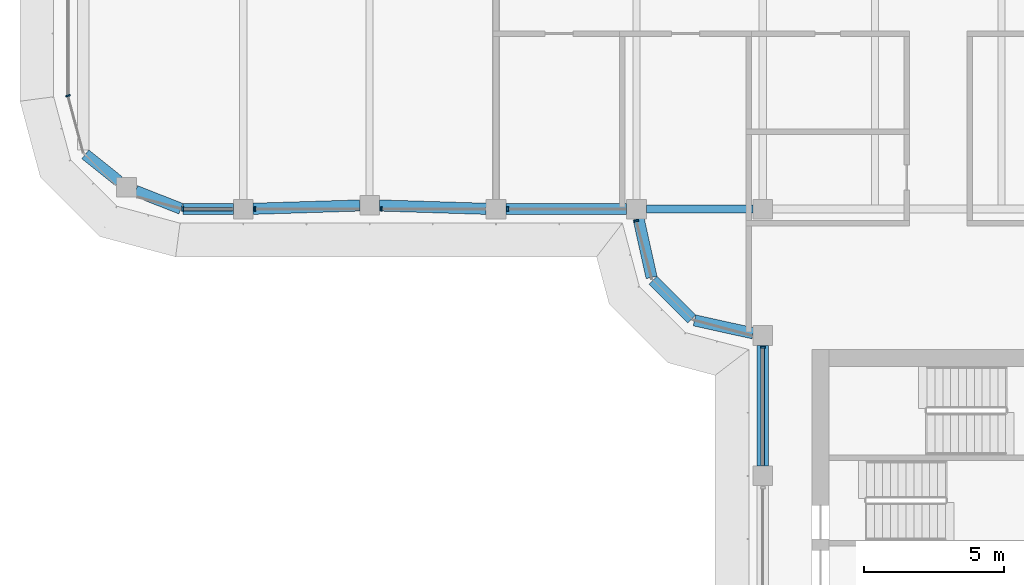
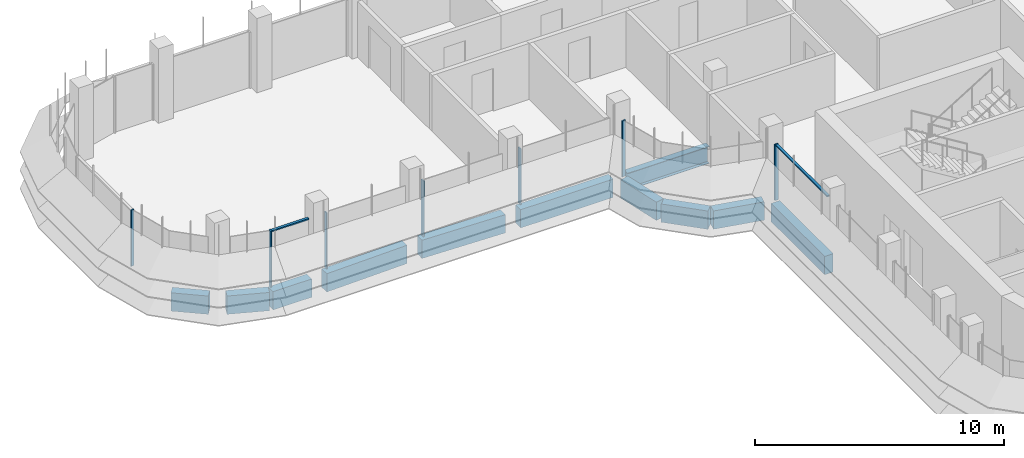
# One storey, part 3 of 18: 11 beams, 9 members, 4 elements without a shape of their own.
"""IFC4 building model written with IfcOpenShell, lengths in metres."""

from ifc_helpers import new_model, si_unit, direction, frame, origin, origin_2d, place, context, subcontext, project, spatial, polyline, rectangle, i_section, outline, extrude, source, transform, mapped, material, material_profile, profile_set, type_object, element, aggregate, save


model = new_model("IFC4")

# Units and contexts
model_context = context("Model", 3, precision=1e-05, world=origin(), true_north=direction((0.0, 1.0)))
body_context = subcontext(model_context, "Body", "Model", "MODEL_VIEW")
ifc_project = project(units=[si_unit("LENGTHUNIT", "METRE"), si_unit("AREAUNIT", "SQUARE_METRE"), si_unit("VOLUMEUNIT", "CUBIC_METRE"), si_unit("PLANEANGLEUNIT", "RADIAN"), si_unit("MASSUNIT", "GRAM", prefix="KILO")], contexts=[model_context])

# Site, building, storey
site_placement = place(None, origin())
site = spatial("IfcSite", under=ifc_project, at=site_placement, CompositionType="ELEMENT")
building_placement = place(site_placement, origin())
building = spatial("IfcBuilding", under=site, at=building_placement, Name="Zarbagh Exchange Tower", CompositionType="ELEMENT")
storey_placement = place(building_placement, frame((0.0, 0.0, 210.60009765625)))
storey = spatial("IfcBuildingStorey", under=building, at=storey_placement, Name="L51", CompositionType="ELEMENT", Elevation=210.60009765625)

# Beams
ifc_material_1 = material(Name="Steel ASTM A992 Gr 50", Category="steel")
ifc_material_profile_1 = material_profile(ifc_material_1, i_section(OverallWidth=0.2919921875, OverallDepth=0.835693359375, WebThickness=0.013916015625, FlangeThickness=0.018798828125, at=origin_2d()), Name="W33X118")
ifc_profile_set_1 = profile_set([ifc_material_profile_1], Name="Steel ASTM A992 Gr 50")
beam_type_1 = type_object("IfcBeamType", Name="Floor girder W33X118", PredefinedType="BEAM", material=ifc_profile_set_1)
beam_1_placement = place(storey_placement, frame((-10.39990234375, -6.25, -0.56787109375), z_axis=(1.0, 0.0, 0.0), x_axis=(0.0, 1.0, 0.0)))
element("IfcBeam", 1, at=beam_1_placement, inside=storey, type_object=beam_type_1, Name="Steel girder", PredefinedType="BEAM", context=body_context, shape_type="SweptSolid", body=[
    extrude(i_section(OverallWidth=0.2919921875, OverallDepth=0.835693359375, WebThickness=0.013916015625, FlangeThickness=0.018798828125, at=origin_2d()), origin(), (0.0, 0.0, 1.0), 3.7998046875),
])
ifc_material_2 = material(Name="Concrete C50/60", Category="concrete")
ifc_material_profile_2 = material_profile(ifc_material_2, rectangle(XDim=0.39990234375, YDim=0.89990234375, at=origin_2d()), Name="RC spandrel beam 400 x 900 C50/60")
ifc_profile_set_2 = profile_set([ifc_material_profile_2], Name="Concrete C50/60")
beam_type_2 = type_object("IfcBeamType", Name="RC spandrel beam 400 x 900 C50/60", PredefinedType="SPANDREL", material=ifc_profile_set_2)
beam_2_placement = place(storey_placement, frame((-6.25, -15.39990234375, -0.60009765625), z_axis=(0.0, 1.0, 0.0), x_axis=(-1.0, 0.0, 0.0)))
element("IfcBeam", 2, at=beam_2_placement, inside=storey, type_object=beam_type_2, Name="RC spandrel beam", PredefinedType="SPANDREL", context=body_context, shape_type="SweptSolid", body=[
    extrude(rectangle(XDim=0.39990234375, YDim=0.89990234375, at=origin_2d()), origin(), (0.0, 0.0, 1.0), 4.2998046875),
])
beam_3_placement = place(storey_placement, frame((-6.591796875, -10.67431640625, -0.60009765625), z_axis=(-0.97639036545, 0.216013551096, 0.0), x_axis=(-0.216013551096, -0.97639036545, 0.0)))
element("IfcBeam", 3, at=beam_3_placement, inside=storey, type_object=beam_type_2, Name="RC spandrel beam", PredefinedType="SPANDREL", context=body_context, shape_type="SweptSolid", body=[
    extrude(rectangle(XDim=0.39990234375, YDim=0.89990234375, at=origin_2d()), origin(), (0.0, 0.0, 1.0), 2.142822265625),
])
beam_4_placement = place(storey_placement, frame((-8.782470703125, -10.15771484375, -0.60009765625), z_axis=(-0.707106781187, 0.707106781187, 0.0), x_axis=(-0.707106781187, -0.707106781187, 0.0)))
element("IfcBeam", 4, at=beam_4_placement, inside=storey, type_object=beam_type_2, Name="RC spandrel beam", PredefinedType="SPANDREL", context=body_context, shape_type="SweptSolid", body=[
    extrude(rectangle(XDim=0.39990234375, YDim=0.89990234375, at=origin_2d()), origin(), (0.0, 0.0, 1.0), 1.94482421875),
])
beam_5_placement = place(storey_placement, frame((-10.21142578125, -8.68408203125, -0.60009765625), z_axis=(-0.216013551096, 0.97639036545, 0.0), x_axis=(-0.97639036545, -0.216013551096, 0.0)))
element("IfcBeam", 5, at=beam_5_placement, inside=storey, type_object=beam_type_2, Name="RC spandrel beam", PredefinedType="SPANDREL", context=body_context, shape_type="SweptSolid", body=[
    extrude(rectangle(XDim=0.39990234375, YDim=0.89990234375, at=origin_2d()), origin(), (0.0, 0.0, 1.0), 2.142822265625),
])
beam_6_placement = place(storey_placement, frame((-11.10009765625, -6.25, -0.60009765625), z_axis=(-1.0, 0.0, 0.0), x_axis=(0.0, -1.0, 0.0)))
element("IfcBeam", 6, at=beam_6_placement, inside=storey, type_object=beam_type_2, Name="RC spandrel beam", PredefinedType="SPANDREL", context=body_context, shape_type="SweptSolid", body=[
    extrude(rectangle(XDim=0.39990234375, YDim=0.89990234375, at=origin_2d()), origin(), (0.0, 0.0, 1.0), 4.2998046875),
])
for number, where, z_axis, x_axis, name in (
    (7, (-16.099853515625, -6.239013671875, -0.60009765625), (-0.999516950199, 0.031078389046, 0.0), (-0.031078389046, -0.999516950199, 0.0), "RC spandrel beam"),
    (8, (-20.599853515625, -6.120849609375, -0.60009765625), (-0.999516950199, -0.031078389046, 0.0), (0.031078389046, -0.999516950199, 0.0), "RC spandrel beam"),
):
    element("IfcBeam", number, at=place(storey_placement, frame(where, z_axis=z_axis, x_axis=x_axis)), inside=storey, type_object=beam_type_2, Name=name, PredefinedType="SPANDREL", context=body_context, shape_type="SweptSolid", body=[
        extrude(rectangle(XDim=0.39990234375, YDim=0.89990234375, at=origin_2d()), origin(), (0.0, 0.0, 1.0), 3.80224609375),
    ])
beam_7_placement = place(storey_placement, frame((-25.10009765625, -6.25, -0.60009765625), z_axis=(-1.0, 0.0, 0.0), x_axis=(0.0, -1.0, 0.0)))
element("IfcBeam", 9, at=beam_7_placement, inside=storey, type_object=beam_type_2, Name="RC spandrel beam", PredefinedType="SPANDREL", context=body_context, shape_type="SweptSolid", body=[
    extrude(rectangle(XDim=0.39990234375, YDim=0.89990234375, at=origin_2d()), origin(), (0.0, 0.0, 1.0), 1.796142578125),
])
beam_8_placement = place(storey_placement, frame((-26.969482421875, -6.236083984375, -0.60009765625), z_axis=(-0.930809711446, 0.365504146457, 0.0), x_axis=(-0.365504146457, -0.930809711446, 0.0)))
element("IfcBeam", 10, at=beam_8_placement, inside=storey, type_object=beam_type_2, Name="RC spandrel beam", PredefinedType="SPANDREL", context=body_context, shape_type="SweptSolid", body=[
    extrude(rectangle(XDim=0.39990234375, YDim=0.89990234375, at=origin_2d()), origin(), (0.0, 0.0, 1.0), 1.732666015625),
])
beam_9_placement = place(storey_placement, frame((-29.18115234375, -5.256103515625, -0.60009765625), z_axis=(-0.780634897504, 0.62498732531, 0.0), x_axis=(-0.62498732531, -0.780634897504, 0.0)))
element("IfcBeam", 11, at=beam_9_placement, inside=storey, type_object=beam_type_2, Name="RC spandrel beam", PredefinedType="SPANDREL", context=body_context, shape_type="SweptSolid", body=[
    extrude(rectangle(XDim=0.39990234375, YDim=0.89990234375, at=origin_2d()), origin(), (0.0, 0.0, 1.0), 1.52783203125),
])

# Curtain wall, member
ifc_material_3 = material(Name="Anodised aluminium frame and glazing", Category="aluminium")
curtain_wall_type = type_object("IfcCurtainWallType", Name="CWB Ribbon glazing, upper zones", PredefinedType="NOTDEFINED", material=ifc_material_3)
curtain_wall_1_placement = place(storey_placement, origin())
curtain_wall_1 = element("IfcCurtainWall", 12, at=curtain_wall_1_placement, inside=storey, type_object=curtain_wall_type, Name="CWB62 curtain wall", PredefinedType="NOTDEFINED")
ifc_material_4 = material(Name="Anodised aluminium frame", Category="aluminium")
member_type_1 = type_object("IfcMemberType", Name="MUB Mullion, anodised aluminium frame", PredefinedType="MULLION", material=ifc_material_4)
shared_shape_1 = source(origin(), body_context, "Body", "SweptSolid", [
    extrude(outline(polyline([(0.0, -0.080078125), (0.06005859375, -0.080078125), (0.06005859375, 0.080078125), (0.0, 0.080078125), (0.0, -0.080078125)])), origin(), (0.0, 0.0, 1.0), 2.75),
])
placement = place(storey_placement, origin())
member_1 = element("IfcMember", 13, at=placement, type_object=member_type_1, Name="CWB62 mullion 1.1", PredefinedType="MULLION", context=body_context, shape_type="MappedRepresentation", body=[
    mapped(shared_shape_1, transform((-31.0, -2.18408203125, 0.0), x_axis=(0.258824779902, -0.965924289636, 0.0), y_axis=(0.965924289636, 0.258824779902, 0.0), z_axis=(0.0, 0.0, 1.0))),
])
aggregate(curtain_wall_1, [member_1])

# Curtain wall, members
curtain_wall_2_placement = place(storey_placement, origin())
curtain_wall_2 = element("IfcCurtainWall", 14, at=curtain_wall_2_placement, inside=storey, type_object=curtain_wall_type, Name="CWB65 curtain wall", PredefinedType="NOTDEFINED")
member_2 = element("IfcMember", 15, at=placement, type_object=member_type_1, Name="CWB65 mullion 1.1", PredefinedType="MULLION", context=body_context, shape_type="MappedRepresentation", body=[
    mapped(shared_shape_1, transform((-26.93408203125, -6.25, 0.0), x_axis=(1.0, 0.0, 0.0), y_axis=(0.0, 1.0, 0.0), z_axis=(0.0, 0.0, 1.0))),
])
member_3 = element("IfcMember", 16, at=placement, type_object=member_type_1, Name="CWB65 mullion 2.1", PredefinedType="MULLION", context=body_context, shape_type="MappedRepresentation", body=[
    mapped(shared_shape_1, transform((-24.35986328125, -6.25, 0.0), x_axis=(1.0, 0.0, 0.0), y_axis=(0.0, 1.0, 0.0), z_axis=(0.0, 0.0, 1.0))),
])
member_4 = element("IfcMember", 17, at=placement, type_object=member_type_1, Name="CWB65 mullion 3.1", PredefinedType="MULLION", context=body_context, shape_type="MappedRepresentation", body=[
    mapped(shared_shape_1, transform((-19.85986328125, -6.25, 0.0), x_axis=(1.0, 0.0, 0.0), y_axis=(0.0, 1.0, 0.0), z_axis=(0.0, 0.0, 1.0))),
])
member_5 = element("IfcMember", 18, at=placement, type_object=member_type_1, Name="CWB65 mullion 4.1", PredefinedType="MULLION", context=body_context, shape_type="MappedRepresentation", body=[
    mapped(shared_shape_1, transform((-15.35986328125, -6.25, 0.0), x_axis=(1.0, 0.0, 0.0), y_axis=(0.0, 1.0, 0.0), z_axis=(0.0, 0.0, 1.0))),
])

# Curtain wall, member
curtain_wall_3_placement = place(storey_placement, origin())
curtain_wall_3 = element("IfcCurtainWall", 19, at=curtain_wall_3_placement, inside=storey, type_object=curtain_wall_type, Name="CWB41 curtain wall", PredefinedType="NOTDEFINED")
member_6 = element("IfcMember", 20, at=placement, type_object=member_type_1, Name="CWB41 mullion 1.1", PredefinedType="MULLION", context=body_context, shape_type="MappedRepresentation", body=[
    mapped(shared_shape_1, transform((-10.76171875, -6.64013671875, 0.0), x_axis=(0.258824779902, -0.965924289636, 0.0), y_axis=(0.965924289636, 0.258824779902, 0.0), z_axis=(0.0, 0.0, 1.0))),
])
aggregate(curtain_wall_3, [member_6])

curtain_wall_4_placement = place(storey_placement, origin())
curtain_wall_4 = element("IfcCurtainWall", 21, at=curtain_wall_4_placement, inside=storey, type_object=curtain_wall_type, Name="CWB53 curtain wall", PredefinedType="NOTDEFINED")
member_7 = element("IfcMember", 22, at=placement, type_object=member_type_1, Name="CWB53 mullion 1.1", PredefinedType="MULLION", context=body_context, shape_type="MappedRepresentation", body=[
    mapped(shared_shape_1, transform((-6.25, -11.14013671875, 0.0), x_axis=(0.0, -1.0, 0.0), y_axis=(1.0, 0.0, 0.0), z_axis=(0.0, 0.0, 1.0))),
])

# Member
member_type_2 = type_object("IfcMemberType", Name="TRB Transom, anodised aluminium frame", PredefinedType="USERDEFINED", material=ifc_material_4)
shared_shape_2 = source(origin(), body_context, "Body", "SweptSolid", [
    extrude(outline(polyline([(-0.06005859375, -0.06005859375), (0.0, -0.06005859375), (0.0, 0.06005859375), (-0.06005859375, 0.06005859375), (-0.06005859375, -0.06005859375)])), origin(), (0.0, 0.0, 1.0), 1.734130859375),
])
member_8 = element("IfcMember", 23, at=placement, type_object=member_type_2, Name="CWB65 transom 1.1", ObjectType="TRANSOM", PredefinedType="USERDEFINED", context=body_context, shape_type="MappedRepresentation", body=[
    mapped(shared_shape_2, transform((-26.874267578125, -6.25, 2.75), x_axis=(0.0, 0.0, 1.0), y_axis=(0.0, -1.0, 0.0), z_axis=(1.0, 0.0, 0.0))),
])

aggregate(curtain_wall_2, [member_2, member_8, member_3, member_4, member_5])

shared_shape_3 = source(origin(), body_context, "Body", "SweptSolid", [
    extrude(outline(polyline([(-0.06005859375, -0.06005859375), (0.0, -0.06005859375), (0.0, 0.06005859375), (-0.06005859375, 0.06005859375), (-0.06005859375, -0.06005859375)])), origin(), (0.0, 0.0, 1.0), 4.159912109375),
])
member_9 = element("IfcMember", 24, at=placement, type_object=member_type_2, Name="CWB53 transom 1.1", ObjectType="TRANSOM", PredefinedType="USERDEFINED", context=body_context, shape_type="MappedRepresentation", body=[
    mapped(shared_shape_3, transform((-6.25, -11.199951171875, 2.75), x_axis=(0.0, 0.0, 1.0), y_axis=(-1.0, 0.0, 0.0), z_axis=(0.0, -1.0, 0.0))),
])

aggregate(curtain_wall_4, [member_7, member_9])

save(model, "model.ifc")
